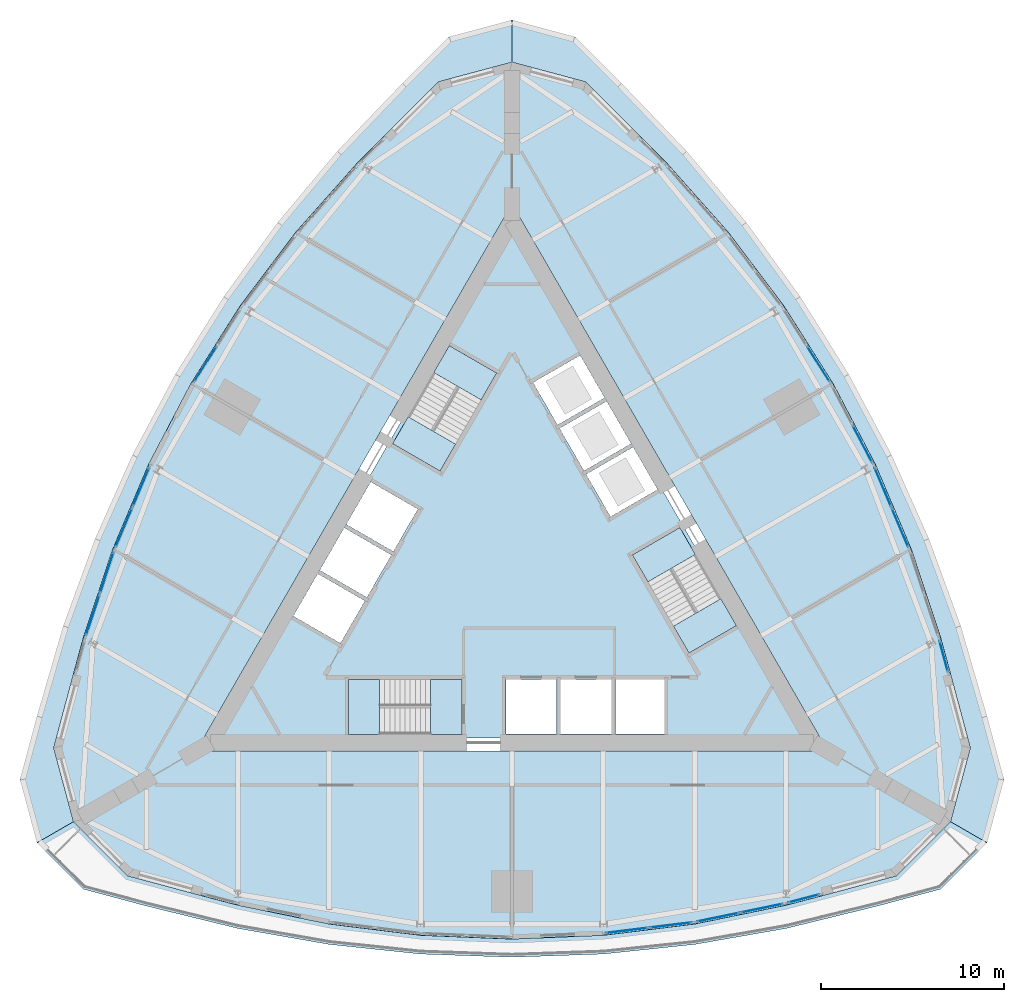
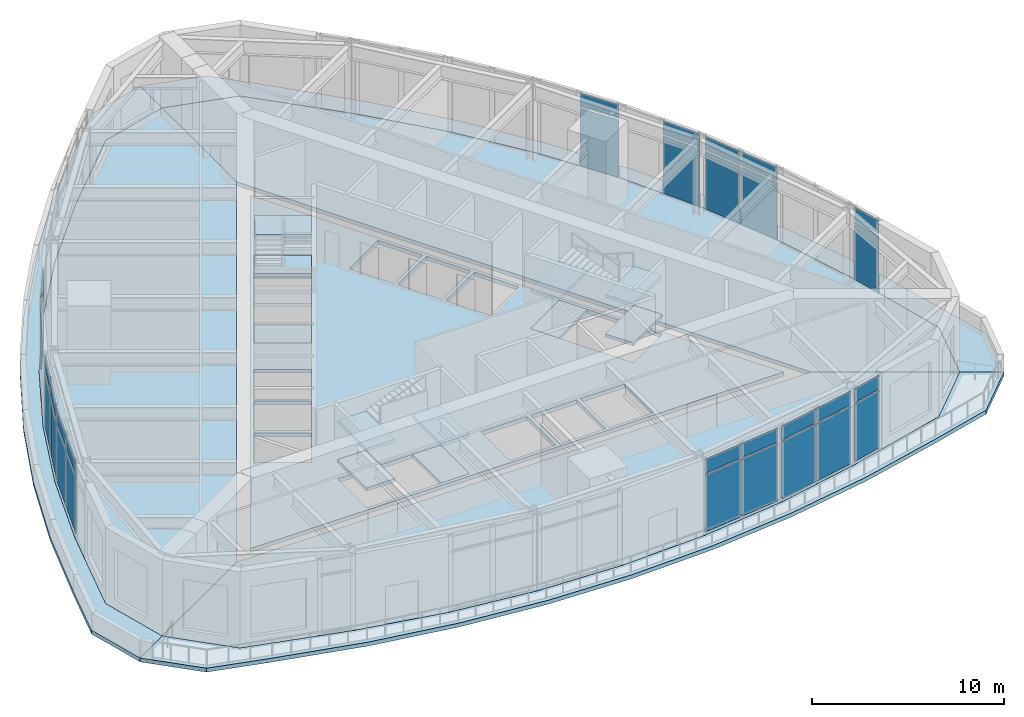
# One storey, part 6 of 13: 30 plates, 19 slabs, 13 elements without a shape of their own.
"""IFC4 building model written with IfcOpenShell, lengths in metres."""

from ifc_helpers import new_model, si_unit, direction, frame, origin, origin_2d, place, context, subcontext, project, spatial, polyline, rectangle, outline, extrude, material, layer, layer_set, type_object, element, aggregate, save


model = new_model("IFC4")

# Units and contexts
model_context = context("Model", 3, precision=1e-05, world=origin(), true_north=direction((0.0, 1.0)))
body_context = subcontext(model_context, "Body", "Model", "MODEL_VIEW")
ifc_project = project(units=[si_unit("LENGTHUNIT", "METRE"), si_unit("AREAUNIT", "SQUARE_METRE"), si_unit("VOLUMEUNIT", "CUBIC_METRE"), si_unit("PLANEANGLEUNIT", "RADIAN"), si_unit("MASSUNIT", "GRAM", prefix="KILO")], contexts=[model_context])

# Site, building, storey
site_placement = place(None, origin())
site = spatial("IfcSite", under=ifc_project, at=site_placement, CompositionType="ELEMENT")
building_placement = place(site_placement, origin())
building = spatial("IfcBuilding", under=site, at=building_placement, Name="Trikona Tower", CompositionType="ELEMENT")
storey_placement = place(building_placement, frame((0.0, 0.0, 195.89990234375)))
storey = spatial("IfcBuildingStorey", under=building, at=storey_placement, Name="L52", CompositionType="ELEMENT", Elevation=195.89990234375)

# Slabs
ifc_material_1 = material(Name="Concrete f'c 5000 psi lightweight on composite steel deck", Category="concrete")
ifc_layer_1 = layer(ifc_material_1, 0.25)
ifc_layer_set_1 = layer_set([ifc_layer_1], Name="Composite floor slab 250")
slab_type_1 = type_object("IfcSlabType", Name="Composite floor slab 250", PredefinedType="FLOOR", material=ifc_layer_set_1)
slab_1_placement = place(storey_placement, frame((0.0, 0.0, -0.25)))
element("IfcSlab", 1, at=slab_1_placement, inside=storey, type_object=slab_type_1, Name="Floor slab L52 core", PredefinedType="FLOOR", context=body_context, shape_type="SweptSolid", body=[
    extrude(outline(polyline([(-16.06689453125, -9.2763671875), (16.06689453125, -9.2763671875), (0.0, 18.552490234375), (-16.06689453125, -9.2763671875)]), holes=[polyline([(12.285400390625, -3.126220703125), (9.185302734375, 2.2431640625), (6.587158203125, 0.7431640625), (9.687255859375, -4.626220703125), (12.285400390625, -3.126220703125)]), polyline([(8.340087890625, -9.06640625), (8.340087890625, -6.086181640625), (5.659912109375, -6.086181640625), (5.659912109375, -9.06640625), (8.340087890625, -9.06640625)]), polyline([(5.390869140625, 2.835205078125), (7.9716796875, 4.3251953125), (6.631591796875, 6.646240234375), (4.05078125, 5.15625), (5.390869140625, 2.835205078125)]), polyline([(2.600830078125, 7.667724609375), (3.94091796875, 5.3466796875), (6.521484375, 6.8369140625), (5.181640625, 9.15771484375), (2.600830078125, 7.667724609375)]), polyline([(5.43994140625, -6.086181640625), (2.659912109375, -6.086181640625), (2.659912109375, -9.06640625), (5.43994140625, -9.06640625), (5.43994140625, -6.086181640625)]), polyline([(3.731689453125, 11.669189453125), (1.15087890625, 10.17919921875), (2.490966796875, 7.858154296875), (5.071533203125, 9.34814453125), (3.731689453125, 11.669189453125)]), polyline([(-0.340087890625, -6.086181640625), (-0.340087890625, -9.06640625), (2.43994140625, -9.06640625), (2.43994140625, -6.086181640625), (-0.340087890625, -6.086181640625)]), polyline([(-3.435302734375, 12.202392578125), (-6.535400390625, 6.8330078125), (-3.937255859375, 5.3330078125), (-0.837158203125, 10.702392578125), (-3.435302734375, 12.202392578125)]), polyline([(-8.949951171875, -9.076416015625), (-2.75, -9.076416015625), (-2.75, -6.076416015625), (-8.949951171875, -6.076416015625), (-8.949951171875, -9.076416015625)]), polyline([(-5.15087890625, 3.2509765625), (-7.731689453125, 4.740966796875), (-9.071533203125, 2.419921875), (-6.490966796875, 0.929931640625), (-5.15087890625, 3.2509765625)]), polyline([(-7.94091796875, -1.581298828125), (-6.600830078125, 0.739501953125), (-9.181640625, 2.2294921875), (-10.521484375, -0.09130859375), (-7.94091796875, -1.581298828125)]), polyline([(-11.9716796875, -2.602783203125), (-9.390869140625, -4.093017578125), (-8.05078125, -1.77197265625), (-10.631591796875, -0.281982421875), (-11.9716796875, -2.602783203125)])]), origin(), (0.0, 0.0, 1.0), 0.25),
])
slab_2_placement = place(storey_placement, frame((0.0, 0.0, -0.25)))
element("IfcSlab", 2, at=slab_2_placement, inside=storey, type_object=slab_type_1, Name="Floor slab L52 south", PredefinedType="FLOOR", context=body_context, shape_type="SweptSolid", body=[
    extrude(outline(polyline([(21.04150390625, -16.81494140625), (24.0, -13.8564453125), (17.279296875, -9.976318359375), (-17.279296875, -9.976318359375), (-24.0, -13.8564453125), (-21.04150390625, -16.81494140625), (-17.0, -17.89794921875), (-15.0, -18.4248046875), (-10.0, -19.454345703125), (-5.0, -20.072021484375), (0.0, -20.27783203125), (5.0, -20.072021484375), (10.0, -19.454345703125), (15.0, -18.4248046875), (17.0, -17.89794921875), (21.04150390625, -16.81494140625)])), origin(), (0.0, 0.0, 1.0), 0.25),
])
slab_3_placement = place(storey_placement, frame((0.0, 0.0, -0.25)))
element("IfcSlab", 3, at=slab_3_placement, inside=storey, type_object=slab_type_1, Name="Floor slab L52 north-east", PredefinedType="FLOOR", context=body_context, shape_type="SweptSolid", body=[
    extrude(outline(polyline([(4.04150390625, 26.6298828125), (0.0, 27.712890625), (0.0, 19.95263671875), (17.279296875, -9.976318359375), (24.0, -13.8564453125), (25.0830078125, -9.81494140625), (24.0, -5.7734375), (23.456298828125, -3.77783203125), (21.847900390625, 1.06689453125), (19.8828125, 5.705810546875), (17.56103515625, 10.138916015625), (14.8828125, 14.3662109375), (11.847900390625, 18.387451171875), (8.456298828125, 22.202880859375), (7.0, 23.67138671875), (4.04150390625, 26.6298828125)])), origin(), (0.0, 0.0, 1.0), 0.25),
])
slab_4_placement = place(storey_placement, frame((0.0, 0.0, -0.25)))
element("IfcSlab", 4, at=slab_4_placement, inside=storey, type_object=slab_type_1, Name="Floor slab L52 north-west", PredefinedType="FLOOR", context=body_context, shape_type="SweptSolid", body=[
    extrude(outline(polyline([(0.0, 19.95263671875), (0.0, 27.712890625), (-4.04150390625, 26.6298828125), (-7.0, 23.67138671875), (-8.456298828125, 22.202880859375), (-11.847900390625, 18.387451171875), (-14.8828125, 14.3662109375), (-17.56103515625, 10.138916015625), (-19.8828125, 5.705810546875), (-21.847900390625, 1.06689453125), (-23.456298828125, -3.77783203125), (-24.0, -5.7734375), (-25.0830078125, -9.81494140625), (-24.0, -13.8564453125), (-17.279296875, -9.976318359375), (0.0, 19.95263671875)])), origin(), (0.0, 0.0, 1.0), 0.25),
])

# Curtain wall, plates
ifc_material_2 = material(Name="Aluminium curtain wall system", Category="aluminium")
curtain_wall_type = type_object("IfcCurtainWallType", Name="Curtain wall SL", PredefinedType="NOTDEFINED", material=ifc_material_2)
curtain_wall_1_placement = place(storey_placement, origin())
curtain_wall_1 = element("IfcCurtainWall", 5, at=curtain_wall_1_placement, inside=storey, type_object=curtain_wall_type, Name="Curtain wall SL L52", PredefinedType="NOTDEFINED")
ifc_material_3 = material(Name="Clear insulating glass unit", Category="glass")
ifc_layer_2 = layer(ifc_material_3, 0.028076171875)
ifc_layer_set_2 = layer_set([ifc_layer_2], Name="Glass panel SL")
plate_type = type_object("IfcPlateType", Name="Glass panel SL", PredefinedType="CURTAIN_PANEL", material=ifc_layer_set_2)
plate_1_placement = place(storey_placement, frame((6.292236328125, -19.8115234375, 0.10009765625), z_axis=(0.0, 0.0, 1.0), x_axis=(0.992454850785, 0.122610640458, 0.0)))
plate_1 = element("IfcPlate", 6, at=plate_1_placement, type_object=plate_type, Name="CW-SL panel 1.1", PredefinedType="CURTAIN_PANEL", context=body_context, shape_type="SweptSolid", body=[
    extrude(rectangle(XDim=2.30908203125, YDim=0.028076171875, at=origin_2d()), origin(), (0.0, 0.0, 1.0), 3.64990234375),
])
plate_2_placement = place(storey_placement, frame((6.292236328125, -19.8115234375, 3.85009765625), z_axis=(0.0, 0.0, 1.0), x_axis=(0.992454850785, 0.122610640458, 0.0)))
plate_2 = element("IfcPlate", 7, at=plate_2_placement, type_object=plate_type, Name="CW-SL panel 1.2", PredefinedType="CURTAIN_PANEL", context=body_context, shape_type="SweptSolid", body=[
    extrude(rectangle(XDim=2.30908203125, YDim=0.028076171875, at=origin_2d()), origin(), (0.0, 0.0, 1.0), 0.885009765625),
])
plate_3_placement = place(storey_placement, frame((8.68310546875, -19.51611328125, 0.10009765625), z_axis=(0.0, 0.0, 1.0), x_axis=(0.992454850785, 0.122610640458, 0.0)))
plate_3 = element("IfcPlate", 8, at=plate_3_placement, type_object=plate_type, Name="CW-SL panel 2.1", PredefinedType="CURTAIN_PANEL", context=body_context, shape_type="SweptSolid", body=[
    extrude(rectangle(XDim=2.30908203125, YDim=0.028076171875, at=origin_2d()), origin(), (0.0, 0.0, 1.0), 3.64990234375),
])
plate_4_placement = place(storey_placement, frame((8.68310546875, -19.51611328125, 3.85009765625), z_axis=(0.0, 0.0, 1.0), x_axis=(0.992454850785, 0.122610640458, 0.0)))
plate_4 = element("IfcPlate", 9, at=plate_4_placement, type_object=plate_type, Name="CW-SL panel 2.2", PredefinedType="CURTAIN_PANEL", context=body_context, shape_type="SweptSolid", body=[
    extrude(rectangle(XDim=2.30908203125, YDim=0.028076171875, at=origin_2d()), origin(), (0.0, 0.0, 1.0), 0.885009765625),
])
aggregate(curtain_wall_1, [plate_1, plate_2, plate_3, plate_4])

curtain_wall_2_placement = place(storey_placement, origin())
curtain_wall_2 = element("IfcCurtainWall", 10, at=curtain_wall_2_placement, inside=storey, type_object=curtain_wall_type, Name="Curtain wall SL L52", PredefinedType="NOTDEFINED")
plate_5_placement = place(storey_placement, frame((11.28369140625, -19.087890625, 0.10009765625), z_axis=(0.0, 0.0, 1.0), x_axis=(0.979457858989, 0.2016489585, 0.0)))
plate_5 = element("IfcPlate", 11, at=plate_5_placement, type_object=plate_type, Name="CW-SL panel 1.1", PredefinedType="CURTAIN_PANEL", context=body_context, shape_type="SweptSolid", body=[
    extrude(rectangle(XDim=2.342529296875, YDim=0.028076171875, at=origin_2d()), origin(), (0.0, 0.0, 1.0), 3.64990234375),
])
plate_6_placement = place(storey_placement, frame((11.28369140625, -19.087890625, 3.85009765625), z_axis=(0.0, 0.0, 1.0), x_axis=(0.979457858989, 0.2016489585, 0.0)))
plate_6 = element("IfcPlate", 12, at=plate_6_placement, type_object=plate_type, Name="CW-SL panel 1.2", PredefinedType="CURTAIN_PANEL", context=body_context, shape_type="SweptSolid", body=[
    extrude(rectangle(XDim=2.342529296875, YDim=0.028076171875, at=origin_2d()), origin(), (0.0, 0.0, 1.0), 0.885009765625),
])
plate_7_placement = place(storey_placement, frame((13.676025390625, -18.595458984375, 0.10009765625), z_axis=(0.0, 0.0, 1.0), x_axis=(0.979457858989, 0.2016489585, 0.0)))
plate_7 = element("IfcPlate", 13, at=plate_7_placement, type_object=plate_type, Name="CW-SL panel 2.1", PredefinedType="CURTAIN_PANEL", context=body_context, shape_type="SweptSolid", body=[
    extrude(rectangle(XDim=2.342529296875, YDim=0.028076171875, at=origin_2d()), origin(), (0.0, 0.0, 1.0), 3.64990234375),
])
plate_8_placement = place(storey_placement, frame((13.676025390625, -18.595458984375, 3.85009765625), z_axis=(0.0, 0.0, 1.0), x_axis=(0.979457858989, 0.2016489585, 0.0)))
plate_8 = element("IfcPlate", 14, at=plate_8_placement, type_object=plate_type, Name="CW-SL panel 2.2", PredefinedType="CURTAIN_PANEL", context=body_context, shape_type="SweptSolid", body=[
    extrude(rectangle(XDim=2.342529296875, YDim=0.028076171875, at=origin_2d()), origin(), (0.0, 0.0, 1.0), 0.885009765625),
])
aggregate(curtain_wall_2, [plate_5, plate_6, plate_7, plate_8])

curtain_wall_3_placement = place(storey_placement, origin())
curtain_wall_3 = element("IfcCurtainWall", 15, at=curtain_wall_3_placement, inside=storey, type_object=curtain_wall_type, Name="Curtain wall SL L52", PredefinedType="NOTDEFINED")
plate_9_placement = place(storey_placement, frame((15.974609375, -18.064697265625, 0.10009765625), z_axis=(0.0, 0.0, 1.0), x_axis=(0.966997369647, 0.25478635579, 0.0)))
plate_9 = element("IfcPlate", 16, at=plate_9_placement, type_object=plate_type, Name="CW-SL panel 1.1", PredefinedType="CURTAIN_PANEL", context=body_context, shape_type="SweptSolid", body=[
    extrude(rectangle(XDim=1.748291015625, YDim=0.028076171875, at=origin_2d()), origin(), (0.0, 0.0, 1.0), 3.64990234375),
])
plate_10_placement = place(storey_placement, frame((15.974609375, -18.064697265625, 3.85009765625), z_axis=(0.0, 0.0, 1.0), x_axis=(0.966997369647, 0.25478635579, 0.0)))
plate_10 = element("IfcPlate", 17, at=plate_10_placement, type_object=plate_type, Name="CW-SL panel 1.2", PredefinedType="CURTAIN_PANEL", context=body_context, shape_type="SweptSolid", body=[
    extrude(rectangle(XDim=1.748291015625, YDim=0.028076171875, at=origin_2d()), origin(), (0.0, 0.0, 1.0), 0.885009765625),
])
aggregate(curtain_wall_3, [plate_9, plate_10])

curtain_wall_4_placement = place(storey_placement, origin())
curtain_wall_4 = element("IfcCurtainWall", 18, at=curtain_wall_4_placement, inside=storey, type_object=curtain_wall_type, Name="Curtain wall SL L52", PredefinedType="NOTDEFINED")
plate_11_placement = place(storey_placement, frame((23.631591796875, -4.802001953125, 0.10009765625), z_axis=(0.0, 0.0, 1.0), x_axis=(-0.262796003047, 0.964851419019, 0.0)))
plate_11 = element("IfcPlate", 19, at=plate_11_placement, type_object=plate_type, Name="CW-SL panel 1.1", PredefinedType="CURTAIN_PANEL", context=body_context, shape_type="SweptSolid", body=[
    extrude(rectangle(XDim=1.748291015625, YDim=0.028076171875, at=origin_2d()), origin(), (0.0, 0.0, 1.0), 3.64990234375),
])
plate_12_placement = place(storey_placement, frame((23.631591796875, -4.802001953125, 3.85009765625), z_axis=(0.0, 0.0, 1.0), x_axis=(-0.262796003047, 0.964851419019, 0.0)))
plate_12 = element("IfcPlate", 20, at=plate_12_placement, type_object=plate_type, Name="CW-SL panel 1.2", PredefinedType="CURTAIN_PANEL", context=body_context, shape_type="SweptSolid", body=[
    extrude(rectangle(XDim=1.748291015625, YDim=0.028076171875, at=origin_2d()), origin(), (0.0, 0.0, 1.0), 0.885009765625),
])
aggregate(curtain_wall_4, [plate_11, plate_12])

curtain_wall_5_placement = place(storey_placement, origin())
curtain_wall_5 = element("IfcCurtainWall", 21, at=curtain_wall_5_placement, inside=storey, type_object=curtain_wall_type, Name="Curtain wall SL L52", PredefinedType="NOTDEFINED")
plate_13_placement = place(storey_placement, frame((21.2431640625, 2.23828125, 0.10009765625), z_axis=(0.0, 0.0, 1.0), x_axis=(-0.390053199266, 0.920792322808, 0.0)))
plate_13 = element("IfcPlate", 22, at=plate_13_placement, type_object=plate_type, Name="CW-SL panel 1.1", PredefinedType="CURTAIN_PANEL", context=body_context, shape_type="SweptSolid", body=[
    extrude(rectangle(XDim=2.30908203125, YDim=0.028076171875, at=origin_2d()), origin(), (0.0, 0.0, 1.0), 3.64990234375),
])
plate_14_placement = place(storey_placement, frame((21.2431640625, 2.23828125, 3.85009765625), z_axis=(0.0, 0.0, 1.0), x_axis=(-0.390053199266, 0.920792322808, 0.0)))
plate_14 = element("IfcPlate", 23, at=plate_14_placement, type_object=plate_type, Name="CW-SL panel 1.2", PredefinedType="CURTAIN_PANEL", context=body_context, shape_type="SweptSolid", body=[
    extrude(rectangle(XDim=2.30908203125, YDim=0.028076171875, at=origin_2d()), origin(), (0.0, 0.0, 1.0), 0.885009765625),
])
plate_15_placement = place(storey_placement, frame((20.303466796875, 4.45654296875, 0.10009765625), z_axis=(0.0, 0.0, 1.0), x_axis=(-0.390053199266, 0.920792322808, 0.0)))
plate_15 = element("IfcPlate", 24, at=plate_15_placement, type_object=plate_type, Name="CW-SL panel 2.1", PredefinedType="CURTAIN_PANEL", context=body_context, shape_type="SweptSolid", body=[
    extrude(rectangle(XDim=2.30908203125, YDim=0.028076171875, at=origin_2d()), origin(), (0.0, 0.0, 1.0), 3.64990234375),
])
plate_16_placement = place(storey_placement, frame((20.303466796875, 4.45654296875, 3.85009765625), z_axis=(0.0, 0.0, 1.0), x_axis=(-0.390053199266, 0.920792322808, 0.0)))
plate_16 = element("IfcPlate", 25, at=plate_16_placement, type_object=plate_type, Name="CW-SL panel 2.2", PredefinedType="CURTAIN_PANEL", context=body_context, shape_type="SweptSolid", body=[
    extrude(rectangle(XDim=2.30908203125, YDim=0.028076171875, at=origin_2d()), origin(), (0.0, 0.0, 1.0), 0.885009765625),
])
aggregate(curtain_wall_5, [plate_13, plate_14, plate_15, plate_16])

curtain_wall_6_placement = place(storey_placement, origin())
curtain_wall_6 = element("IfcCurtainWall", 26, at=curtain_wall_6_placement, inside=storey, type_object=curtain_wall_type, Name="Curtain wall SL L52", PredefinedType="NOTDEFINED")
plate_17_placement = place(storey_placement, frame((19.188232421875, 6.81640625, 0.10009765625), z_axis=(0.0, 0.0, 1.0), x_axis=(-0.463948084434, 0.885862390527, 0.0)))
plate_17 = element("IfcPlate", 27, at=plate_17_placement, type_object=plate_type, Name="CW-SL panel 1.1", PredefinedType="CURTAIN_PANEL", context=body_context, shape_type="SweptSolid", body=[
    extrude(rectangle(XDim=2.2919921875, YDim=0.028076171875, at=origin_2d()), origin(), (0.0, 0.0, 1.0), 3.64990234375),
])
plate_18_placement = place(storey_placement, frame((19.188232421875, 6.81640625, 3.85009765625), z_axis=(0.0, 0.0, 1.0), x_axis=(-0.463948084434, 0.885862390527, 0.0)))
plate_18 = element("IfcPlate", 28, at=plate_18_placement, type_object=plate_type, Name="CW-SL panel 1.2", PredefinedType="CURTAIN_PANEL", context=body_context, shape_type="SweptSolid", body=[
    extrude(rectangle(XDim=2.2919921875, YDim=0.028076171875, at=origin_2d()), origin(), (0.0, 0.0, 1.0), 0.885009765625),
])
aggregate(curtain_wall_6, [plate_17, plate_18])

curtain_wall_7_placement = place(storey_placement, origin())
curtain_wall_7 = element("IfcCurtainWall", 29, at=curtain_wall_7_placement, inside=storey, type_object=curtain_wall_type, Name="Curtain wall SL L52", PredefinedType="NOTDEFINED")
plate_19_placement = place(storey_placement, frame((16.777587890625, 11.188720703125, 0.10009765625), z_axis=(0.0, 0.0, 1.0), x_axis=(-0.535211837308, 0.84471787551, 0.0)))
plate_19 = element("IfcPlate", 30, at=plate_19_placement, type_object=plate_type, Name="CW-SL panel 1.1", PredefinedType="CURTAIN_PANEL", context=body_context, shape_type="SweptSolid", body=[
    extrude(rectangle(XDim=2.292236328125, YDim=0.028076171875, at=origin_2d()), origin(), (0.0, 0.0, 1.0), 3.64990234375),
])
plate_20_placement = place(storey_placement, frame((16.777587890625, 11.188720703125, 3.85009765625), z_axis=(0.0, 0.0, 1.0), x_axis=(-0.535211837308, 0.84471787551, 0.0)))
plate_20 = element("IfcPlate", 31, at=plate_20_placement, type_object=plate_type, Name="CW-SL panel 1.2", PredefinedType="CURTAIN_PANEL", context=body_context, shape_type="SweptSolid", body=[
    extrude(rectangle(XDim=2.292236328125, YDim=0.028076171875, at=origin_2d()), origin(), (0.0, 0.0, 1.0), 0.885009765625),
])
aggregate(curtain_wall_7, [plate_19, plate_20])

curtain_wall_8_placement = place(storey_placement, origin())
curtain_wall_8 = element("IfcCurtainWall", 32, at=curtain_wall_8_placement, inside=storey, type_object=curtain_wall_type, Name="Curtain wall SL L52", PredefinedType="NOTDEFINED")
plate_21_placement = place(storey_placement, frame((-16.777587890625, 11.188720703125, 0.10009765625), z_axis=(0.0, 0.0, 1.0), x_axis=(-0.535211837308, -0.84471787551, 0.0)))
plate_21 = element("IfcPlate", 33, at=plate_21_placement, type_object=plate_type, Name="CW-SL panel 2.1", PredefinedType="CURTAIN_PANEL", context=body_context, shape_type="SweptSolid", body=[
    extrude(rectangle(XDim=2.292236328125, YDim=0.028076171875, at=origin_2d()), origin(), (0.0, 0.0, 1.0), 3.64990234375),
])
plate_22_placement = place(storey_placement, frame((-16.777587890625, 11.188720703125, 3.85009765625), z_axis=(0.0, 0.0, 1.0), x_axis=(-0.535211837308, -0.84471787551, 0.0)))
plate_22 = element("IfcPlate", 34, at=plate_22_placement, type_object=plate_type, Name="CW-SL panel 2.2", PredefinedType="CURTAIN_PANEL", context=body_context, shape_type="SweptSolid", body=[
    extrude(rectangle(XDim=2.292236328125, YDim=0.028076171875, at=origin_2d()), origin(), (0.0, 0.0, 1.0), 0.885009765625),
])
aggregate(curtain_wall_8, [plate_21, plate_22])

curtain_wall_9_placement = place(storey_placement, origin())
curtain_wall_9 = element("IfcCurtainWall", 35, at=curtain_wall_9_placement, inside=storey, type_object=curtain_wall_type, Name="Curtain wall SL L52", PredefinedType="NOTDEFINED")
plate_23_placement = place(storey_placement, frame((-20.303466796875, 4.45654296875, 0.10009765625), z_axis=(0.0, 0.0, 1.0), x_axis=(-0.390053199266, -0.920792322808, 0.0)))
plate_23 = element("IfcPlate", 36, at=plate_23_placement, type_object=plate_type, Name="CW-SL panel 1.1", PredefinedType="CURTAIN_PANEL", context=body_context, shape_type="SweptSolid", body=[
    extrude(rectangle(XDim=2.30908203125, YDim=0.028076171875, at=origin_2d()), origin(), (0.0, 0.0, 1.0), 3.64990234375),
])
plate_24_placement = place(storey_placement, frame((-20.303466796875, 4.45654296875, 3.85009765625), z_axis=(0.0, 0.0, 1.0), x_axis=(-0.390053199266, -0.920792322808, 0.0)))
plate_24 = element("IfcPlate", 37, at=plate_24_placement, type_object=plate_type, Name="CW-SL panel 1.2", PredefinedType="CURTAIN_PANEL", context=body_context, shape_type="SweptSolid", body=[
    extrude(rectangle(XDim=2.30908203125, YDim=0.028076171875, at=origin_2d()), origin(), (0.0, 0.0, 1.0), 0.885009765625),
])
plate_25_placement = place(storey_placement, frame((-21.2431640625, 2.23828125, 0.10009765625), z_axis=(0.0, 0.0, 1.0), x_axis=(-0.390053199266, -0.920792322808, 0.0)))
plate_25 = element("IfcPlate", 38, at=plate_25_placement, type_object=plate_type, Name="CW-SL panel 2.1", PredefinedType="CURTAIN_PANEL", context=body_context, shape_type="SweptSolid", body=[
    extrude(rectangle(XDim=2.30908203125, YDim=0.028076171875, at=origin_2d()), origin(), (0.0, 0.0, 1.0), 3.64990234375),
])
plate_26_placement = place(storey_placement, frame((-21.2431640625, 2.23828125, 3.85009765625), z_axis=(0.0, 0.0, 1.0), x_axis=(-0.390053199266, -0.920792322808, 0.0)))
plate_26 = element("IfcPlate", 39, at=plate_26_placement, type_object=plate_type, Name="CW-SL panel 2.2", PredefinedType="CURTAIN_PANEL", context=body_context, shape_type="SweptSolid", body=[
    extrude(rectangle(XDim=2.30908203125, YDim=0.028076171875, at=origin_2d()), origin(), (0.0, 0.0, 1.0), 0.885009765625),
])
aggregate(curtain_wall_9, [plate_23, plate_24, plate_25, plate_26])

curtain_wall_10_placement = place(storey_placement, origin())
curtain_wall_10 = element("IfcCurtainWall", 40, at=curtain_wall_10_placement, inside=storey, type_object=curtain_wall_type, Name="Curtain wall SL L52", PredefinedType="NOTDEFINED")
plate_27_placement = place(storey_placement, frame((-22.17236328125, -0.22802734375, 0.10009765625), z_axis=(0.0, 0.0, 1.0), x_axis=(-0.31509610797, -0.94905976774, 0.0)))
plate_27 = element("IfcPlate", 41, at=plate_27_placement, type_object=plate_type, Name="CW-SL panel 1.1", PredefinedType="CURTAIN_PANEL", context=body_context, shape_type="SweptSolid", body=[
    extrude(rectangle(XDim=2.342529296875, YDim=0.028076171875, at=origin_2d()), origin(), (0.0, 0.0, 1.0), 3.64990234375),
])
plate_28_placement = place(storey_placement, frame((-22.17236328125, -0.22802734375, 3.85009765625), z_axis=(0.0, 0.0, 1.0), x_axis=(-0.31509610797, -0.94905976774, 0.0)))
plate_28 = element("IfcPlate", 42, at=plate_28_placement, type_object=plate_type, Name="CW-SL panel 1.2", PredefinedType="CURTAIN_PANEL", context=body_context, shape_type="SweptSolid", body=[
    extrude(rectangle(XDim=2.342529296875, YDim=0.028076171875, at=origin_2d()), origin(), (0.0, 0.0, 1.0), 0.885009765625),
])
plate_29_placement = place(storey_placement, frame((-22.942138671875, -2.546142578125, 0.10009765625), z_axis=(0.0, 0.0, 1.0), x_axis=(-0.31509610797, -0.94905976774, 0.0)))
plate_29 = element("IfcPlate", 43, at=plate_29_placement, type_object=plate_type, Name="CW-SL panel 2.1", PredefinedType="CURTAIN_PANEL", context=body_context, shape_type="SweptSolid", body=[
    extrude(rectangle(XDim=2.342529296875, YDim=0.028076171875, at=origin_2d()), origin(), (0.0, 0.0, 1.0), 3.64990234375),
])
plate_30_placement = place(storey_placement, frame((-22.942138671875, -2.546142578125, 3.85009765625), z_axis=(0.0, 0.0, 1.0), x_axis=(-0.31509610797, -0.94905976774, 0.0)))
plate_30 = element("IfcPlate", 44, at=plate_30_placement, type_object=plate_type, Name="CW-SL panel 2.2", PredefinedType="CURTAIN_PANEL", context=body_context, shape_type="SweptSolid", body=[
    extrude(rectangle(XDim=2.342529296875, YDim=0.028076171875, at=origin_2d()), origin(), (0.0, 0.0, 1.0), 0.885009765625),
])
aggregate(curtain_wall_10, [plate_27, plate_28, plate_29, plate_30])

# Stair, slabs
ifc_material_4 = material(Name="Concrete f'c 5000 psi", Category="concrete")
stair_type = type_object("IfcStairType", Name="Core stair", PredefinedType="HALF_TURN_STAIR", material=ifc_material_4)
stair_1_placement = place(storey_placement, origin())
stair_1 = element("IfcStair", 45, at=stair_1_placement, inside=storey, type_object=stair_type, Name="Stair A L52", PredefinedType="HALF_TURN_STAIR")
ifc_material_5 = material(Name="Concrete f'c 5000 psi", Category="concrete")
ifc_layer_3 = layer(ifc_material_5, 0.199951171875)
ifc_layer_set_3 = layer_set([ifc_layer_3], Name="Stair landing 200")
slab_type_2 = type_object("IfcSlabType", Name="Stair landing 200", PredefinedType="LANDING", material=ifc_layer_set_3)
slab_5_placement = place(storey_placement, frame((0.0, 0.0, -0.199951171875)))
slab_5 = element("IfcSlab", 46, at=slab_5_placement, type_object=slab_type_2, Name="ST-A landing 1", PredefinedType="LANDING", context=body_context, shape_type="SweptSolid", body=[
    extrude(outline(polyline([(-4.452880859375, -6.076416015625), (-2.75, -6.076416015625), (-2.75, -9.076416015625), (-4.452880859375, -9.076416015625), (-4.452880859375, -6.076416015625)])), origin(), (0.0, 0.0, 1.0), 0.199951171875),
])
slab_6_placement = place(storey_placement, frame((0.0, 0.0, 1.050048828125)))
slab_6 = element("IfcSlab", 47, at=slab_6_placement, type_object=slab_type_2, Name="ST-A landing 2", PredefinedType="LANDING", context=body_context, shape_type="SweptSolid", body=[
    extrude(outline(polyline([(-8.949951171875, -6.076416015625), (-7.2470703125, -6.076416015625), (-7.2470703125, -9.076416015625), (-8.949951171875, -9.076416015625), (-8.949951171875, -6.076416015625)])), origin(), (0.0, 0.0, 1.0), 0.199951171875),
])
slab_7_placement = place(storey_placement, frame((0.0, 0.0, 2.300048828125)))
slab_7 = element("IfcSlab", 48, at=slab_7_placement, type_object=slab_type_2, Name="ST-A landing 3", PredefinedType="LANDING", context=body_context, shape_type="SweptSolid", body=[
    extrude(outline(polyline([(-4.452880859375, -6.076416015625), (-2.75, -6.076416015625), (-2.75, -9.076416015625), (-4.452880859375, -9.076416015625), (-4.452880859375, -6.076416015625)])), origin(), (0.0, 0.0, 1.0), 0.199951171875),
])
slab_8_placement = place(storey_placement, frame((0.0, 0.0, 3.550048828125)))
slab_8 = element("IfcSlab", 49, at=slab_8_placement, type_object=slab_type_2, Name="ST-A landing 4", PredefinedType="LANDING", context=body_context, shape_type="SweptSolid", body=[
    extrude(outline(polyline([(-8.949951171875, -6.076416015625), (-7.2470703125, -6.076416015625), (-7.2470703125, -9.076416015625), (-8.949951171875, -9.076416015625), (-8.949951171875, -6.076416015625)])), origin(), (0.0, 0.0, 1.0), 0.199951171875),
])
aggregate(stair_1, [slab_5, slab_6, slab_7, slab_8])

stair_2_placement = place(storey_placement, origin())
stair_2 = element("IfcStair", 50, at=stair_2_placement, inside=storey, type_object=stair_type, Name="Stair B L52", PredefinedType="HALF_TURN_STAIR")
slab_9_placement = place(storey_placement, frame((0.0, 0.0, -0.199951171875)))
slab_9 = element("IfcSlab", 51, at=slab_9_placement, type_object=slab_type_2, Name="ST-B landing 1", PredefinedType="LANDING", context=body_context, shape_type="SweptSolid", body=[
    extrude(outline(polyline([(7.438720703125, -0.731689453125), (6.587158203125, 0.7431640625), (9.185302734375, 2.2431640625), (10.036865234375, 0.768310546875), (7.438720703125, -0.731689453125)])), origin(), (0.0, 0.0, 1.0), 0.199951171875),
])
slab_10_placement = place(storey_placement, frame((0.0, 0.0, 1.050048828125)))
slab_10 = element("IfcSlab", 52, at=slab_10_placement, type_object=slab_type_2, Name="ST-B landing 2", PredefinedType="LANDING", context=body_context, shape_type="SweptSolid", body=[
    extrude(outline(polyline([(9.687255859375, -4.626220703125), (8.835693359375, -3.1513671875), (11.433837890625, -1.6513671875), (12.285400390625, -3.126220703125), (9.687255859375, -4.626220703125)])), origin(), (0.0, 0.0, 1.0), 0.199951171875),
])
slab_11_placement = place(storey_placement, frame((0.0, 0.0, 2.300048828125)))
slab_11 = element("IfcSlab", 53, at=slab_11_placement, type_object=slab_type_2, Name="ST-B landing 3", PredefinedType="LANDING", context=body_context, shape_type="SweptSolid", body=[
    extrude(outline(polyline([(7.438720703125, -0.731689453125), (6.587158203125, 0.7431640625), (9.185302734375, 2.2431640625), (10.036865234375, 0.768310546875), (7.438720703125, -0.731689453125)])), origin(), (0.0, 0.0, 1.0), 0.199951171875),
])
slab_12_placement = place(storey_placement, frame((0.0, 0.0, 3.550048828125)))
slab_12 = element("IfcSlab", 54, at=slab_12_placement, type_object=slab_type_2, Name="ST-B landing 4", PredefinedType="LANDING", context=body_context, shape_type="SweptSolid", body=[
    extrude(outline(polyline([(9.687255859375, -4.626220703125), (8.835693359375, -3.1513671875), (11.433837890625, -1.6513671875), (12.285400390625, -3.126220703125), (9.687255859375, -4.626220703125)])), origin(), (0.0, 0.0, 1.0), 0.199951171875),
])
aggregate(stair_2, [slab_9, slab_10, slab_11, slab_12])

stair_3_placement = place(storey_placement, origin())
stair_3 = element("IfcStair", 55, at=stair_3_placement, inside=storey, type_object=stair_type, Name="Stair C L52", PredefinedType="HALF_TURN_STAIR")
slab_13_placement = place(storey_placement, frame((0.0, 0.0, -0.199951171875)))
slab_13 = element("IfcSlab", 56, at=slab_13_placement, type_object=slab_type_2, Name="ST-C landing 1", PredefinedType="LANDING", context=body_context, shape_type="SweptSolid", body=[
    extrude(outline(polyline([(-3.085693359375, 6.807861328125), (-3.937255859375, 5.3330078125), (-6.535400390625, 6.8330078125), (-5.683837890625, 8.307861328125), (-3.085693359375, 6.807861328125)])), origin(), (0.0, 0.0, 1.0), 0.199951171875),
])
slab_14_placement = place(storey_placement, frame((0.0, 0.0, 1.050048828125)))
slab_14 = element("IfcSlab", 57, at=slab_14_placement, type_object=slab_type_2, Name="ST-C landing 2", PredefinedType="LANDING", context=body_context, shape_type="SweptSolid", body=[
    extrude(outline(polyline([(-0.837158203125, 10.702392578125), (-1.688720703125, 9.2275390625), (-4.286865234375, 10.7275390625), (-3.435302734375, 12.202392578125), (-0.837158203125, 10.702392578125)])), origin(), (0.0, 0.0, 1.0), 0.199951171875),
])
slab_15_placement = place(storey_placement, frame((0.0, 0.0, 2.300048828125)))
slab_15 = element("IfcSlab", 58, at=slab_15_placement, type_object=slab_type_2, Name="ST-C landing 3", PredefinedType="LANDING", context=body_context, shape_type="SweptSolid", body=[
    extrude(outline(polyline([(-3.085693359375, 6.807861328125), (-3.937255859375, 5.3330078125), (-6.535400390625, 6.8330078125), (-5.683837890625, 8.307861328125), (-3.085693359375, 6.807861328125)])), origin(), (0.0, 0.0, 1.0), 0.199951171875),
])
slab_16_placement = place(storey_placement, frame((0.0, 0.0, 3.550048828125)))
slab_16 = element("IfcSlab", 59, at=slab_16_placement, type_object=slab_type_2, Name="ST-C landing 4", PredefinedType="LANDING", context=body_context, shape_type="SweptSolid", body=[
    extrude(outline(polyline([(-0.837158203125, 10.702392578125), (-1.688720703125, 9.2275390625), (-4.286865234375, 10.7275390625), (-3.435302734375, 12.202392578125), (-0.837158203125, 10.702392578125)])), origin(), (0.0, 0.0, 1.0), 0.199951171875),
])
aggregate(stair_3, [slab_13, slab_14, slab_15, slab_16])

# Slabs
ifc_material_6 = material(Name="Concrete f'c 5000 psi on composite steel deck", Category="concrete")
ifc_layer_4 = layer(ifc_material_6, 0.25)
ifc_layer_set_4 = layer_set([ifc_layer_4], Name="Terrace slab 250")
slab_type_3 = type_object("IfcSlabType", Name="Terrace slab 250", PredefinedType="ROOF", material=ifc_layer_set_4)
slab_17_placement = place(storey_placement, frame((0.0, 0.0, -0.25)))
element("IfcSlab", 60, at=slab_17_placement, inside=storey, type_object=slab_type_3, Name="Terrace L52 south part 1", PredefinedType="ROOF", context=body_context, shape_type="SweptSolid", body=[
    extrude(outline(polyline([(-26.0, -15.010986328125), (-23.464111328125, -17.547119140625), (-20.0, -18.47509765625), (-15.0, -19.7001953125), (-10.0, -20.5751953125), (-5.0, -21.10009765625), (0.0, -21.275146484375), (5.0, -21.10009765625), (10.0, -20.5751953125), (15.0, -19.7001953125), (20.0, -18.47509765625), (23.464111328125, -17.547119140625), (26.0, -15.010986328125), (24.0009765625, -13.85693359375), (21.0419921875, -16.81591796875), (17.000244140625, -17.89892578125), (15.000244140625, -18.42578125), (10.0, -19.455322265625), (5.0, -20.072998046875), (0.0, -20.27880859375), (-5.0, -20.072998046875), (-10.0, -19.455322265625), (-15.000244140625, -18.42578125), (-17.000244140625, -17.89892578125), (-21.0419921875, -16.81591796875), (-24.0009765625, -13.85693359375), (-26.0, -15.010986328125)])), origin(), (0.0, 0.0, 1.0), 0.25),
])
slab_18_placement = place(storey_placement, frame((0.0, 0.0, -0.25)))
element("IfcSlab", 61, at=slab_18_placement, inside=storey, type_object=slab_type_3, Name="Green roof L52 north-east part 2", PredefinedType="ROOF", context=body_context, shape_type="SweptSolid", body=[
    extrude(outline(polyline([(3.464111328125, 29.093994140625), (0.0, 30.022216796875), (0.0, 27.7138671875), (4.0419921875, 26.630615234375), (7.000732421875, 23.672119140625), (8.45703125, 22.20361328125), (11.8486328125, 18.38818359375), (14.883544921875, 14.36669921875), (17.56201171875, 10.139404296875), (19.8837890625, 5.706298828125), (21.848876953125, 1.067138671875), (23.45751953125, -3.777587890625), (24.0009765625, -5.773193359375), (25.083984375, -9.814697265625), (24.0009765625, -13.85693359375), (26.0, -15.010986328125), (26.92822265625, -11.547119140625), (26.0, -8.0830078125), (24.560791015625, -3.140380859375), (22.818603515625, 1.62744140625), (20.773193359375, 6.219970703125), (18.4248046875, 10.6376953125), (15.773193359375, 14.880126953125), (12.818603515625, 18.947998046875), (9.560791015625, 22.840576171875), (6.0, 26.55810546875), (3.464111328125, 29.093994140625)])), origin(), (0.0, 0.0, 1.0), 0.25),
])
slab_19_placement = place(storey_placement, frame((0.0, 0.0, -0.25)))
element("IfcSlab", 62, at=slab_19_placement, inside=storey, type_object=slab_type_3, Name="Green roof L52 north-west part 3", PredefinedType="ROOF", context=body_context, shape_type="SweptSolid", body=[
    extrude(outline(polyline([(-26.0, -15.010986328125), (-24.0009765625, -13.85693359375), (-25.083984375, -9.815185546875), (-24.0009765625, -5.773193359375), (-23.457275390625, -3.777587890625), (-21.848876953125, 1.0673828125), (-19.8837890625, 5.706298828125), (-17.56201171875, 10.139404296875), (-14.883544921875, 14.36669921875), (-11.8486328125, 18.387939453125), (-8.45703125, 22.20361328125), (-7.000732421875, 23.672119140625), (-4.0419921875, 26.630859375), (0.0, 27.7138671875), (0.0, 30.022216796875), (-3.464111328125, 29.093994140625), (-6.0, 26.55810546875), (-9.560791015625, 22.840576171875), (-12.818603515625, 18.947998046875), (-15.773193359375, 14.880126953125), (-18.4248046875, 10.6376953125), (-20.773193359375, 6.219970703125), (-22.818603515625, 1.62744140625), (-24.560791015625, -3.140380859375), (-26.0, -8.0830078125), (-26.92822265625, -11.547119140625), (-26.0, -15.010986328125)])), origin(), (0.0, 0.0, 1.0), 0.25),
])

save(model, "model.ifc")
